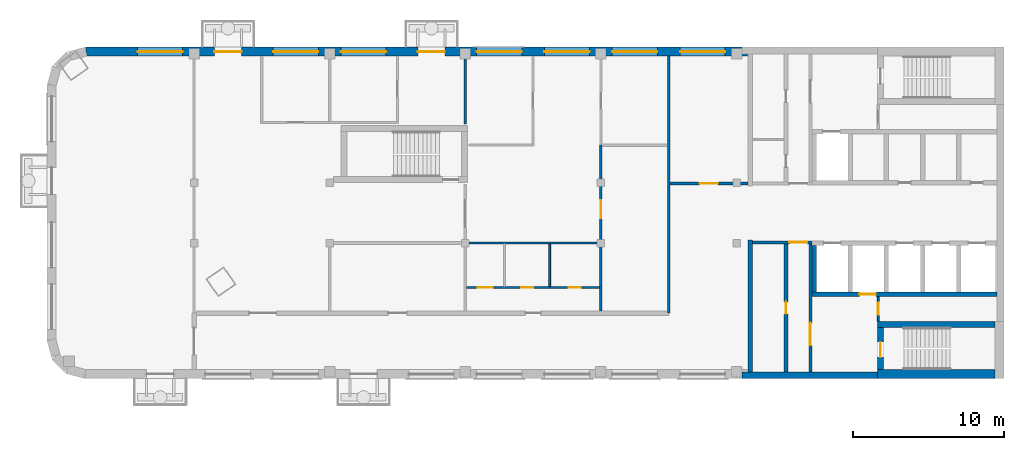
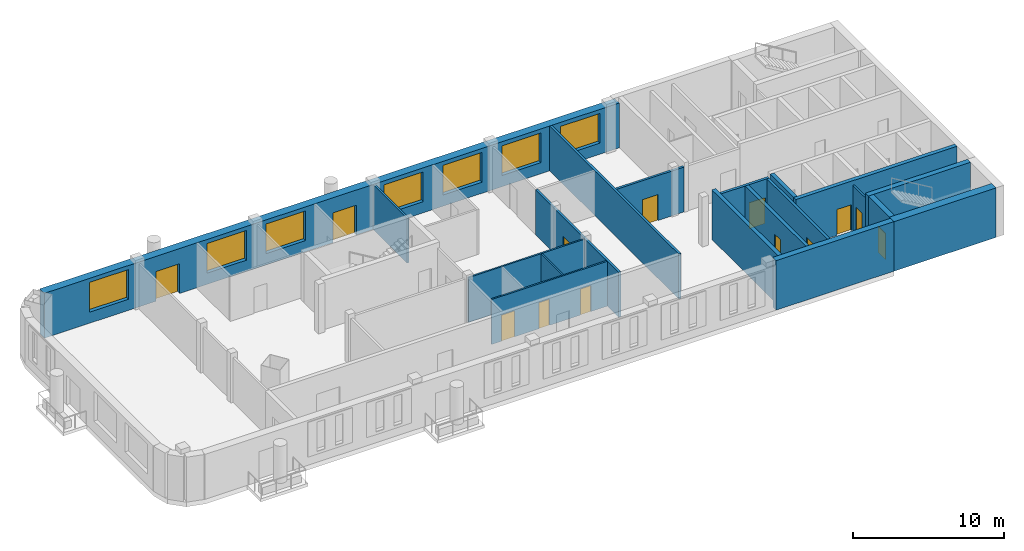
# One storey, part 3 of 8: 19 walls, 13 doors, 7 windows, 20 openings.
"""IFC4 building model written with IfcOpenShell, lengths in metres."""

from ifc_helpers import new_model, si_unit, direction, frame, frame_2d, origin, place, context, subcontext, project, spatial, rectangle, extrude, material, layer, layer_set, type_object, element, fill, save


model = new_model("IFC4")

# Units and contexts
model_context = context("Model", 3, precision=1e-05, world=origin(), true_north=direction((0.0, 1.0)))
body_context = subcontext(model_context, "Body", "Model", "MODEL_VIEW")
ifc_project = project(units=[si_unit("LENGTHUNIT", "METRE"), si_unit("AREAUNIT", "SQUARE_METRE"), si_unit("VOLUMEUNIT", "CUBIC_METRE"), si_unit("PLANEANGLEUNIT", "RADIAN"), si_unit("MASSUNIT", "GRAM", prefix="KILO")], contexts=[model_context])

# Site, building, storey
site_placement = place(None, origin())
site = spatial("IfcSite", under=ifc_project, at=site_placement, CompositionType="ELEMENT")
building_placement = place(site_placement, origin())
building = spatial("IfcBuilding", under=site, at=building_placement, Name="Skarvind Civic Tower", CompositionType="ELEMENT")
storey_placement = place(building_placement, frame((0.0, 0.0, 253.5)))
storey = spatial("IfcBuildingStorey", under=building, at=storey_placement, Name="L60", CompositionType="ELEMENT", Elevation=253.5)

# Wall, opening, door
ifc_material_1 = material(Name="Acoustic gypsum board on steel studs", Category="steel")
ifc_layer_1 = layer(ifc_material_1, 0.175048828125)
ifc_layer_set_1 = layer_set([ifc_layer_1], Name="ACOUSTIC MEETING-ROOM PARTITION 175")
wall_type_1 = type_object("IfcWallType", Name="ACOUSTIC MEETING-ROOM PARTITION 175", PredefinedType="PARTITIONING", material=ifc_layer_set_1)
wall_1_placement = place(storey_placement, frame((81.25, 132.5, 0.0), z_axis=(0.0, 0.0, 1.0), x_axis=(0.0, -1.0, 0.0)))
wall_1 = element("IfcWall", 1, at=wall_1_placement, inside=storey, type_object=wall_type_1, Name="Partition 60.019", PredefinedType="PARTITIONING", context=body_context, shape_type="SweptSolid", body=[
    extrude(rectangle(XDim=11.0, YDim=0.175048828125, at=frame_2d((5.5, 0.0))), origin(), (0.0, 0.0, 1.0), 3.625),
])
opening_1_placement = place(wall_1_placement, frame((3.651611328125, 0.0, 0.0)))
opening_1 = element("IfcOpeningElement", 2, at=opening_1_placement, cuts=wall_1, Name="Opening L60-D014", PredefinedType="OPENING", context=body_context, shape_type="SweptSolid", body=[
    extrude(rectangle(XDim=1.199951171875, YDim=2.10009765625, at=frame_2d((0.60009765625, 1.050048828125))), frame((0.0, 0.097412109375, 0.0), z_axis=(0.0, -1.0, 0.0), x_axis=(1.0, 0.0, 0.0)), (0.0, 0.0, 1.0), 0.195068359375),
])
ifc_material_2 = material(Name="Timber door leaf", Category="wood")
door_type_1 = type_object("IfcDoorType", Name="DOOR 1200X2100 DOUBLE TIMBER", OperationType="NOTDEFINED", PredefinedType="DOOR", material=ifc_material_2)
door_1_placement = place(opening_1_placement, origin())
door_1 = element("IfcDoor", 3, at=door_1_placement, inside=storey, type_object=door_type_1, Name="Door L60-D014", OperationType="DOUBLE_DOOR_SINGLE_SWING", OverallHeight=2.10009765625, OverallWidth=1.199951171875, PredefinedType="DOOR", context=body_context, shape_type="SweptSolid", body=[
    extrude(rectangle(XDim=1.199951171875, YDim=2.10009765625, at=frame_2d((0.60009765625, 1.050048828125))), frame((0.0, 0.02490234375, 0.0), z_axis=(0.0, -1.0, 0.0), x_axis=(1.0, 0.0, 0.0)), (0.0, 0.0, 1.0), 0.050048828125),
])
fill(opening_1, door_1)

# Wall
wall_2_placement = place(storey_placement, frame((85.75, 121.35009765625, 0.0), z_axis=(0.0, 0.0, 1.0), x_axis=(0.0, 1.0, 0.0)))
element("IfcWall", 4, at=wall_2_placement, inside=storey, type_object=wall_type_1, Name="Partition 60.021", PredefinedType="PARTITIONING", context=body_context, shape_type="SweptSolid", body=[
    extrude(rectangle(XDim=17.0498046875, YDim=0.175048828125, at=frame_2d((8.52490234375, 0.0))), origin(), (0.0, 0.0, 1.0), 3.625),
])

# Wall, opening, door
wall_3_placement = place(storey_placement, frame((85.837890625, 129.949951171875, 0.0), z_axis=(0.0, 0.0, 1.0), x_axis=(1.0, 0.0, 0.0)))
wall_3 = element("IfcWall", 5, at=wall_3_placement, inside=storey, type_object=wall_type_1, Name="Partition 60.023", PredefinedType="PARTITIONING", context=body_context, shape_type="SweptSolid", body=[
    extrude(rectangle(XDim=5.162109375, YDim=0.175048828125, at=frame_2d((2.5810546875, 0.0))), origin(), (0.0, 0.0, 1.0), 3.625),
])
opening_2_placement = place(wall_3_placement, frame((1.970947265625, 0.0, 0.0)))
opening_2 = element("IfcOpeningElement", 6, at=opening_2_placement, cuts=wall_3, Name="Opening L60-D001", PredefinedType="OPENING", context=body_context, shape_type="SweptSolid", body=[
    extrude(rectangle(XDim=1.199951171875, YDim=2.10009765625, at=frame_2d((0.60009765625, 1.050048828125))), frame((0.0, 0.097412109375, 0.0), z_axis=(0.0, -1.0, 0.0), x_axis=(1.0, 0.0, 0.0)), (0.0, 0.0, 1.0), 0.195068359375),
])
door_2_placement = place(opening_2_placement, origin())
door_2 = element("IfcDoor", 7, at=door_2_placement, inside=storey, type_object=door_type_1, Name="Door L60-D001", OperationType="DOUBLE_DOOR_SINGLE_SWING", OverallHeight=2.10009765625, OverallWidth=1.199951171875, PredefinedType="DOOR", context=body_context, shape_type="SweptSolid", body=[
    extrude(rectangle(XDim=1.199951171875, YDim=2.10009765625, at=frame_2d((0.60009765625, 1.050048828125))), frame((0.0, 0.02490234375, 0.0), z_axis=(0.0, -1.0, 0.0), x_axis=(1.0, 0.0, 0.0)), (0.0, 0.0, 1.0), 0.050048828125),
])
fill(opening_2, door_2)

ifc_material_3 = material(Name="Fire-rated masonry partition", Category="masonry")
ifc_layer_2 = layer(ifc_material_3, 0.199951171875)
ifc_layer_set_2 = layer_set([ifc_layer_2], Name="Core enclosure wall 200")
wall_type_2 = type_object("IfcWallType", Name="Core enclosure wall 200", PredefinedType="PARTITIONING", material=ifc_layer_set_2)
wall_4_placement = place(storey_placement, frame((95.25, 126.050048828125, 0.0), z_axis=(0.0, 0.0, 1.0), x_axis=(-1.0, 0.0, 0.0)))
wall_4 = element("IfcWall", 8, at=wall_4_placement, inside=storey, type_object=wall_type_2, Name="Core wall C1", PredefinedType="PARTITIONING", context=body_context, shape_type="SweptSolid", body=[
    extrude(rectangle(XDim=3.949951171875, YDim=0.199951171875, at=frame_2d((1.97509765625, 0.0))), origin(), (0.0, 0.0, 1.0), 3.625),
])
opening_3_placement = place(wall_4_placement, frame((0.300048828125, 0.0, 0.0)))
opening_3 = element("IfcOpeningElement", 9, at=opening_3_placement, cuts=wall_4, Name="Opening D-L60-C1-07", PredefinedType="OPENING", context=body_context, shape_type="SweptSolid", body=[
    extrude(rectangle(XDim=1.199951171875, YDim=2.10009765625, at=frame_2d((0.60009765625, 1.050048828125))), frame((0.0, 0.10986328125, 0.0), z_axis=(0.0, -1.0, 0.0), x_axis=(1.0, 0.0, 0.0)), (0.0, 0.0, 1.0), 0.219970703125),
])
ifc_material_4 = material(Name="Fire-rated steel door", Category="steel")
door_type_2 = type_object("IfcDoorType", Name="Core lobby door 1200", OperationType="NOTDEFINED", PredefinedType="DOOR", material=ifc_material_4)
door_3_placement = place(opening_3_placement, origin())
door_3 = element("IfcDoor", 10, at=door_3_placement, inside=storey, type_object=door_type_2, Name="Fire door", OperationType="DOUBLE_DOOR_SINGLE_SWING", OverallHeight=2.10009765625, OverallWidth=1.199951171875, PredefinedType="DOOR", context=body_context, shape_type="SweptSolid", body=[
    extrude(rectangle(XDim=1.199951171875, YDim=2.10009765625, at=frame_2d((0.60009765625, 1.050048828125))), frame((0.0, 0.02490234375, 0.0), z_axis=(0.0, -1.0, 0.0), x_axis=(1.0, 0.0, 0.0)), (0.0, 0.0, 1.0), 0.050048828125),
])
fill(opening_3, door_3)

wall_5_placement = place(storey_placement, frame((95.14990234375, 117.449951171875, 0.0), z_axis=(0.0, 0.0, 1.0), x_axis=(0.0, 1.0, 0.0)))
wall_5 = element("IfcWall", 11, at=wall_5_placement, inside=storey, type_object=wall_type_2, Name="Core wall C1", PredefinedType="PARTITIONING", context=body_context, shape_type="SweptSolid", body=[
    extrude(rectangle(XDim=8.5, YDim=0.199951171875, at=frame_2d((4.25, 0.0))), origin(), (0.0, 0.0, 1.0), 3.625),
])
opening_4_placement = place(wall_5_placement, frame((1.75, 0.0, 0.0)))
opening_4 = element("IfcOpeningElement", 12, at=opening_4_placement, cuts=wall_5, Name="Opening D-L60-C1-08", PredefinedType="OPENING", context=body_context, shape_type="SweptSolid", body=[
    extrude(rectangle(XDim=1.5, YDim=2.10009765625, at=frame_2d((0.75, 1.050048828125))), frame((0.0, 0.10986328125, 0.0), z_axis=(0.0, -1.0, 0.0), x_axis=(1.0, 0.0, 0.0)), (0.0, 0.0, 1.0), 0.219970703125),
])
door_type_3 = type_object("IfcDoorType", Name="Fire door 1500", OperationType="NOTDEFINED", PredefinedType="DOOR", material=ifc_material_4)
door_4_placement = place(opening_4_placement, origin())
door_4 = element("IfcDoor", 13, at=door_4_placement, inside=storey, type_object=door_type_3, Name="Fire door", OperationType="DOUBLE_DOOR_SINGLE_SWING", OverallHeight=2.10009765625, OverallWidth=1.5, PredefinedType="DOOR", context=body_context, shape_type="SweptSolid", body=[
    extrude(rectangle(XDim=1.5, YDim=2.10009765625, at=frame_2d((0.75, 1.050048828125))), frame((0.0, 0.02490234375, 0.0), z_axis=(0.0, -1.0, 0.0), x_axis=(1.0, 0.0, 0.0)), (0.0, 0.0, 1.0), 0.050048828125),
])
fill(opening_4, door_4)

ifc_material_5 = material(Name="Concrete C60", Category="concrete")
ifc_layer_3 = layer(ifc_material_5, 0.300048828125)
ifc_layer_set_3 = layer_set([ifc_layer_3], Name="Core wall 300 C60")
wall_type_3 = type_object("IfcWallType", Name="Core wall 300 C60", PredefinedType="SHEAR", material=ifc_layer_set_3)
wall_6_placement = place(storey_placement, frame((107.550048828125, 122.60009765625, 0.0), z_axis=(0.0, 0.0, 1.0), x_axis=(-1.0, 0.0, 0.0)))
wall_6 = element("IfcWall", 14, at=wall_6_placement, inside=storey, type_object=wall_type_3, Name="Core wall C1 north lift row back L60", PredefinedType="SHEAR", context=body_context, shape_type="SweptSolid", body=[
    extrude(rectangle(XDim=12.300048828125, YDim=0.300048828125, at=frame_2d((6.14990234375, 0.0))), origin(), (0.0, 0.0, 1.0), 4.0),
])
opening_5_placement = place(wall_6_placement, frame((8.050048828125, 0.0, 0.0)))
opening_5 = element("IfcOpeningElement", 15, at=opening_5_placement, cuts=wall_6, Name="Opening LD62104", PredefinedType="OPENING", context=body_context, shape_type="SweptSolid", body=[
    extrude(rectangle(XDim=1.10009765625, YDim=2.10009765625, at=frame_2d((0.550048828125, 1.050048828125))), frame((0.0, 0.159912109375, 0.0), z_axis=(0.0, -1.0, 0.0), x_axis=(1.0, 0.0, 0.0)), (0.0, 0.0, 1.0), 0.320068359375),
])
ifc_material_6 = material(Name="Stainless steel landing door", Category="steel")
door_type_4 = type_object("IfcDoorType", Name="Lift landing door 1100", OperationType="DOUBLE_DOOR_SLIDING", PredefinedType="DOOR", material=ifc_material_6)
door_5_placement = place(opening_5_placement, origin())
door_5 = element("IfcDoor", 16, at=door_5_placement, inside=storey, type_object=door_type_4, Name="Lift landing door", OperationType="DOUBLE_DOOR_SLIDING", OverallHeight=2.10009765625, OverallWidth=1.10009765625, PredefinedType="DOOR", context=body_context, shape_type="SweptSolid", body=[
    extrude(rectangle(XDim=1.10009765625, YDim=2.10009765625, at=frame_2d((0.550048828125, 1.050048828125))), frame((0.0, 0.02490234375, 0.0), z_axis=(0.0, -1.0, 0.0), x_axis=(1.0, 0.0, 0.0)), (0.0, 0.0, 1.0), 0.050048828125),
])
fill(opening_5, door_5)

# Walls
wall_7_placement = place(storey_placement, frame((95.39990234375, 125.85009765625, 0.0), z_axis=(0.0, 0.0, 1.0), x_axis=(0.0, -1.0, 0.0)))
element("IfcWall", 17, at=wall_7_placement, inside=storey, type_object=wall_type_3, Name="Core wall C1 north lift row division 5 L60", PredefinedType="SHEAR", context=body_context, shape_type="SweptSolid", body=[
    extrude(rectangle(XDim=3.10009765625, YDim=0.300048828125, at=frame_2d((1.550048828125, 0.0))), origin(), (0.0, 0.0, 1.0), 4.0),
])
wall_8_placement = place(storey_placement, frame((91.14990234375, 126.199951171875, 0.0), z_axis=(0.0, 0.0, 1.0), x_axis=(0.0, -1.0, 0.0)))
element("IfcWall", 18, at=wall_8_placement, inside=storey, type_object=wall_type_3, Name="Core wall C1 north inner face L60", PredefinedType="SHEAR", context=body_context, shape_type="SweptSolid", body=[
    extrude(rectangle(XDim=8.75, YDim=0.300048828125, at=frame_2d((4.375, 0.0))), origin(), (0.0, 0.0, 1.0), 4.0),
])
ifc_layer_4 = layer(ifc_material_5, 0.39990234375)
ifc_layer_set_4 = layer_set([ifc_layer_4], Name="Core wall 400 C60")
wall_type_4 = type_object("IfcWallType", Name="Core wall 400 C60", PredefinedType="SHEAR", material=ifc_layer_set_4)
wall_9_placement = place(storey_placement, frame((107.39990234375, 120.60009765625, 0.0), z_axis=(0.0, 0.0, 1.0), x_axis=(-1.0, 0.0, 0.0)))
element("IfcWall", 19, at=wall_9_placement, inside=storey, type_object=wall_type_4, Name="Core wall C1 north stair inner L60", PredefinedType="SHEAR", context=body_context, shape_type="SweptSolid", body=[
    extrude(rectangle(XDim=7.7998046875, YDim=0.39990234375, at=frame_2d((3.89990234375, 0.0))), origin(), (0.0, 0.0, 1.0), 4.0),
])

# Wall, opening, door
wall_10_placement = place(storey_placement, frame((99.800048828125, 120.39990234375, 0.0), z_axis=(0.0, 0.0, 1.0), x_axis=(0.0, -1.0, 0.0)))
wall_10 = element("IfcWall", 20, at=wall_10_placement, inside=storey, type_object=wall_type_4, Name="Core wall C1 north stair end L60", PredefinedType="SHEAR", context=body_context, shape_type="SweptSolid", body=[
    extrude(rectangle(XDim=2.7998046875, YDim=0.39990234375, at=frame_2d((1.39990234375, 0.0))), origin(), (0.0, 0.0, 1.0), 4.0),
])
opening_6_placement = place(wall_10_placement, frame((0.97509765625, 0.0, 0.0)))
opening_6 = element("IfcOpeningElement", 21, at=opening_6_placement, cuts=wall_10, Name="Opening D-L60-C1-09", PredefinedType="OPENING", context=body_context, shape_type="SweptSolid", body=[
    extrude(rectangle(XDim=1.0, YDim=2.10009765625, at=frame_2d((0.5, 1.050048828125))), frame((0.0, 0.2099609375, 0.0), z_axis=(0.0, -1.0, 0.0), x_axis=(1.0, 0.0, 0.0)), (0.0, 0.0, 1.0), 0.419921875),
])
door_type_5 = type_object("IfcDoorType", Name="Fire door 1000", OperationType="NOTDEFINED", PredefinedType="DOOR", material=ifc_material_4)
door_6_placement = place(opening_6_placement, origin())
door_6 = element("IfcDoor", 22, at=door_6_placement, inside=storey, type_object=door_type_5, Name="Fire door", OperationType="SINGLE_SWING_LEFT", OverallHeight=2.10009765625, OverallWidth=1.0, PredefinedType="DOOR", context=body_context, shape_type="SweptSolid", body=[
    extrude(rectangle(XDim=1.0, YDim=2.10009765625, at=frame_2d((0.5, 1.050048828125))), frame((0.0, 0.02490234375, 0.0), z_axis=(0.0, -1.0, 0.0), x_axis=(1.0, 0.0, 0.0)), (0.0, 0.0, 1.0), 0.050048828125),
])
fill(opening_6, door_6)

# Walls
ifc_layer_5 = layer(ifc_material_5, 0.449951171875)
ifc_layer_set_5 = layer_set([ifc_layer_5], Name="Core wall 450 C60")
wall_type_5 = type_object("IfcWallType", Name="Core wall 450 C60", PredefinedType="SHEAR", material=ifc_layer_set_5)
wall_11_placement = place(storey_placement, frame((99.60009765625, 117.22509765625, 0.0), z_axis=(0.0, 0.0, 1.0), x_axis=(-1.0, 0.0, 0.0)))
element("IfcWall", 23, at=wall_11_placement, inside=storey, type_object=wall_type_5, Name="Core wall C1 north side L60", PredefinedType="SHEAR", context=body_context, shape_type="SweptSolid", body=[
    extrude(rectangle(XDim=9.0, YDim=0.449951171875, at=frame_2d((4.5, 0.0))), origin(), (0.0, 0.0, 1.0), 4.0),
])
ifc_layer_6 = layer(ifc_material_5, 0.60009765625)
ifc_layer_set_6 = layer_set([ifc_layer_6], Name="Core wall 600 C60")
wall_type_6 = type_object("IfcWallType", Name="Core wall 600 C60", PredefinedType="SHEAR", material=ifc_layer_set_6)
wall_12_placement = place(storey_placement, frame((107.39990234375, 117.300048828125, 0.0), z_axis=(0.0, 0.0, 1.0), x_axis=(-1.0, 0.0, 0.0)))
element("IfcWall", 24, at=wall_12_placement, inside=storey, type_object=wall_type_6, Name="Core wall C1 north side at the stair L60", PredefinedType="SHEAR", context=body_context, shape_type="SweptSolid", body=[
    extrude(rectangle(XDim=7.7998046875, YDim=0.60009765625, at=frame_2d((3.89990234375, 0.0))), origin(), (0.0, 0.0, 1.0), 4.0),
])
ifc_material_7 = material(Name="Plasterboard partition on steel studs", Category="steel")
ifc_layer_7 = layer(ifc_material_7, 0.14990234375)
ifc_layer_set_7 = layer_set([ifc_layer_7], Name="PARTITION 150")
wall_type_7 = type_object("IfcWallType", Name="PARTITION 150", PredefinedType="PARTITIONING", material=ifc_layer_set_7)
wall_13_placement = place(storey_placement, frame((72.25, 133.89990234375, 0.0), z_axis=(0.0, 0.0, 1.0), x_axis=(0.0, 1.0, 0.0)))
element("IfcWall", 25, at=wall_13_placement, inside=storey, type_object=wall_type_7, Name="Partition 60.014", PredefinedType="PARTITIONING", context=body_context, shape_type="SweptSolid", body=[
    extrude(rectangle(XDim=4.5, YDim=0.14990234375, at=frame_2d((2.25, 0.0))), origin(), (0.0, 0.0, 1.0), 3.625),
])

# Wall, opening, door
ifc_layer_8 = layer(ifc_material_3, 0.125)
ifc_layer_set_8 = layer_set([ifc_layer_8], Name="Riser wall 125")
wall_type_8 = type_object("IfcWallType", Name="Riser wall 125", PredefinedType="PARTITIONING", material=ifc_layer_set_8)
wall_14_placement = place(storey_placement, frame((99.66259765625, 120.800048828125, 0.0), z_axis=(0.0, 0.0, 1.0), x_axis=(0.0, 1.0, 0.0)))
wall_14 = element("IfcWall", 26, at=wall_14_placement, inside=storey, type_object=wall_type_8, Name="Core wall C1", PredefinedType="PARTITIONING", context=body_context, shape_type="SweptSolid", body=[
    extrude(rectangle(XDim=1.64990234375, YDim=0.125, at=frame_2d((0.824951171875, 0.0))), origin(), (0.0, 0.0, 1.0), 3.625),
])
opening_7_placement = place(wall_14_placement, frame((0.425048828125, 0.0, 0.0)))
opening_7 = element("IfcOpeningElement", 27, at=opening_7_placement, cuts=wall_14, Name="Opening D-L60-C1-10", PredefinedType="OPENING", context=body_context, shape_type="SweptSolid", body=[
    extrude(rectangle(XDim=0.800048828125, YDim=2.10009765625, at=frame_2d((0.39990234375, 1.050048828125))), frame((0.0, 0.072509765625, 0.0), z_axis=(0.0, -1.0, 0.0), x_axis=(1.0, 0.0, 0.0)), (0.0, 0.0, 1.0), 0.14501953125),
])
door_type_6 = type_object("IfcDoorType", Name="Core riser door 800", OperationType="NOTDEFINED", PredefinedType="DOOR", material=ifc_material_4)
door_7_placement = place(opening_7_placement, origin())
door_7 = element("IfcDoor", 28, at=door_7_placement, inside=storey, type_object=door_type_6, Name="Riser door", OperationType="SINGLE_SWING_RIGHT", OverallHeight=2.10009765625, OverallWidth=0.800048828125, PredefinedType="DOOR", context=body_context, shape_type="SweptSolid", body=[
    extrude(rectangle(XDim=0.800048828125, YDim=2.10009765625, at=frame_2d((0.39990234375, 1.050048828125))), frame((0.0, 0.02490234375, 0.0), z_axis=(0.0, -1.0, 0.0), x_axis=(1.0, 0.0, 0.0)), (0.0, 0.0, 1.0), 0.050048828125),
])
fill(opening_7, door_7)

ifc_layer_9 = layer(ifc_material_3, 0.25)
ifc_layer_set_9 = layer_set([ifc_layer_9], Name="Service block wall 250")
wall_type_9 = type_object("IfcWallType", Name="Service block wall 250", PredefinedType="PARTITIONING", material=ifc_layer_set_9)
wall_15_placement = place(storey_placement, frame((93.52490234375, 117.449951171875, 0.0), z_axis=(0.0, 0.0, 1.0), x_axis=(0.0, 1.0, 0.0)))
wall_15 = element("IfcWall", 29, at=wall_15_placement, inside=storey, type_object=wall_type_9, Name="Core wall C1", PredefinedType="PARTITIONING", context=body_context, shape_type="SweptSolid", body=[
    extrude(rectangle(XDim=8.5, YDim=0.25, at=frame_2d((4.25, 0.0))), origin(), (0.0, 0.0, 1.0), 3.625),
])
opening_8_placement = place(wall_15_placement, frame((3.85009765625, 0.0, 0.0)))
opening_8 = element("IfcOpeningElement", 30, at=opening_8_placement, cuts=wall_15, Name="Opening D-L60-C1-11", PredefinedType="OPENING", context=body_context, shape_type="SweptSolid", body=[
    extrude(rectangle(XDim=0.800048828125, YDim=2.10009765625, at=frame_2d((0.39990234375, 1.050048828125))), frame((0.0, 0.135009765625, 0.0), z_axis=(0.0, -1.0, 0.0), x_axis=(1.0, 0.0, 0.0)), (0.0, 0.0, 1.0), 0.27001953125),
])
door_8_placement = place(opening_8_placement, origin())
door_8 = element("IfcDoor", 31, at=door_8_placement, inside=storey, type_object=door_type_6, Name="Riser door", OperationType="SINGLE_SWING_LEFT", OverallHeight=2.10009765625, OverallWidth=0.800048828125, PredefinedType="DOOR", context=body_context, shape_type="SweptSolid", body=[
    extrude(rectangle(XDim=0.800048828125, YDim=2.10009765625, at=frame_2d((0.39990234375, 1.050048828125))), frame((0.0, 0.02490234375, 0.0), z_axis=(0.0, -1.0, 0.0), x_axis=(1.0, 0.0, 0.0)), (0.0, 0.0, 1.0), 0.050048828125),
])
fill(opening_8, door_8)

# Wall, openings, doors
ifc_material_8 = material(Name="Moisture-resistant gypsum board on steel studs", Category="steel")
ifc_layer_10 = layer(ifc_material_8, 0.125)
ifc_layer_set_10 = layer_set([ifc_layer_10], Name="WC PARTITION 125")
wall_type_10 = type_object("IfcWallType", Name="WC PARTITION 125", PredefinedType="PARTITIONING", material=ifc_layer_set_10)
wall_16_placement = place(storey_placement, frame((72.337890625, 123.050048828125, 0.0), z_axis=(0.0, 0.0, 1.0), x_axis=(1.0, 0.0, 0.0)))
wall_16 = element("IfcWall", 32, at=wall_16_placement, inside=storey, type_object=wall_type_10, Name="Partition 60.010", PredefinedType="PARTITIONING", context=body_context, shape_type="SweptSolid", body=[
    extrude(rectangle(XDim=8.82421875, YDim=0.125, at=frame_2d((4.412109375, 0.0))), origin(), (0.0, 0.0, 1.0), 3.625),
])
opening_9_placement = place(wall_16_placement, frame((6.778076171875, 0.0, 0.0)))
opening_9 = element("IfcOpeningElement", 33, at=opening_9_placement, cuts=wall_16, Name="Opening L60-D003", PredefinedType="OPENING", context=body_context, shape_type="SweptSolid", body=[
    extrude(rectangle(XDim=0.800048828125, YDim=2.10009765625, at=frame_2d((0.39990234375, 1.050048828125))), frame((0.0, 0.072509765625, 0.0), z_axis=(0.0, -1.0, 0.0), x_axis=(1.0, 0.0, 0.0)), (0.0, 0.0, 1.0), 0.14501953125),
])
opening_10_placement = place(wall_16_placement, frame((3.612060546875, 0.0, 0.0)))
opening_10 = element("IfcOpeningElement", 34, at=opening_10_placement, cuts=wall_16, Name="Opening L60-D004", PredefinedType="OPENING", context=body_context, shape_type="SweptSolid", body=[
    extrude(rectangle(XDim=0.800048828125, YDim=2.10009765625, at=frame_2d((0.39990234375, 1.050048828125))), frame((0.0, 0.072509765625, 0.0), z_axis=(0.0, -1.0, 0.0), x_axis=(1.0, 0.0, 0.0)), (0.0, 0.0, 1.0), 0.14501953125),
])
opening_11_placement = place(wall_16_placement, frame((0.74609375, 0.0, 0.0)))
opening_11 = element("IfcOpeningElement", 35, at=opening_11_placement, cuts=wall_16, Name="Opening L60-D005", PredefinedType="OPENING", context=body_context, shape_type="SweptSolid", body=[
    extrude(rectangle(XDim=1.0, YDim=2.10009765625, at=frame_2d((0.5, 1.050048828125))), frame((0.0, 0.072509765625, 0.0), z_axis=(0.0, -1.0, 0.0), x_axis=(1.0, 0.0, 0.0)), (0.0, 0.0, 1.0), 0.14501953125),
])
door_type_7 = type_object("IfcDoorType", Name="D1 1000x2100", OperationType="NOTDEFINED", PredefinedType="DOOR", material=ifc_material_2)
door_9_placement = place(opening_11_placement, origin())
door_9 = element("IfcDoor", 36, at=door_9_placement, inside=storey, type_object=door_type_7, Name="Door L60-D005", OperationType="SINGLE_SWING_LEFT", OverallHeight=2.10009765625, OverallWidth=1.0, PredefinedType="DOOR", context=body_context, shape_type="SweptSolid", body=[
    extrude(rectangle(XDim=1.0, YDim=2.10009765625, at=frame_2d((0.5, 1.050048828125))), frame((0.0, 0.02490234375, 0.0), z_axis=(0.0, -1.0, 0.0), x_axis=(1.0, 0.0, 0.0)), (0.0, 0.0, 1.0), 0.050048828125),
])
fill(opening_11, door_9)
door_type_8 = type_object("IfcDoorType", Name="DOOR 800X2100 TIMBER", OperationType="NOTDEFINED", PredefinedType="DOOR", material=ifc_material_2)
door_10_placement = place(opening_9_placement, origin())
door_10 = element("IfcDoor", 37, at=door_10_placement, inside=storey, type_object=door_type_8, Name="Door L60-D003", OperationType="SINGLE_SWING_RIGHT", OverallHeight=2.10009765625, OverallWidth=0.800048828125, PredefinedType="DOOR", context=body_context, shape_type="SweptSolid", body=[
    extrude(rectangle(XDim=0.800048828125, YDim=2.10009765625, at=frame_2d((0.39990234375, 1.050048828125))), frame((0.0, 0.02490234375, 0.0), z_axis=(0.0, -1.0, 0.0), x_axis=(1.0, 0.0, 0.0)), (0.0, 0.0, 1.0), 0.050048828125),
])
fill(opening_9, door_10)
door_11_placement = place(opening_10_placement, origin())
door_11 = element("IfcDoor", 38, at=door_11_placement, inside=storey, type_object=door_type_8, Name="Door L60-D004", OperationType="SINGLE_SWING_LEFT", OverallHeight=2.10009765625, OverallWidth=0.800048828125, PredefinedType="DOOR", context=body_context, shape_type="SweptSolid", body=[
    extrude(rectangle(XDim=0.800048828125, YDim=2.10009765625, at=frame_2d((0.39990234375, 1.050048828125))), frame((0.0, 0.02490234375, 0.0), z_axis=(0.0, -1.0, 0.0), x_axis=(1.0, 0.0, 0.0)), (0.0, 0.0, 1.0), 0.050048828125),
])
fill(opening_10, door_11)

# Walls
wall_17_placement = place(storey_placement, frame((72.25, 126.0, 0.0), z_axis=(0.0, 0.0, 1.0), x_axis=(1.0, 0.0, 0.0)))
element("IfcWall", 39, at=wall_17_placement, inside=storey, type_object=wall_type_10, Name="Partition 60.013", PredefinedType="PARTITIONING", context=body_context, shape_type="SweptSolid", body=[
    extrude(rectangle(XDim=8.912109375, YDim=0.125, at=frame_2d((4.4560546875, 0.0))), origin(), (0.0, 0.0, 1.0), 3.625),
])
wall_18_placement = place(storey_placement, frame((77.85009765625, 125.93798828125, 0.0), z_axis=(0.0, 0.0, 1.0), x_axis=(0.0, -1.0, 0.0)))
element("IfcWall", 40, at=wall_18_placement, inside=storey, type_object=wall_type_10, Name="Partition 60.018", PredefinedType="PARTITIONING", context=body_context, shape_type="SweptSolid", body=[
    extrude(rectangle(XDim=2.825927734375, YDim=0.125, at=frame_2d((1.4130859375, 0.0))), origin(), (0.0, 0.0, 1.0), 3.625),
])

# Wall, openings, doors, windows
ifc_material_9 = material(Name="Standing-seam zinc cladding on insulated backing")
ifc_layer_11 = layer(ifc_material_9, 0.60009765625)
ifc_layer_set_11 = layer_set([ifc_layer_11], Name="WX2 ZINC-CLAD FACADE WALL 600")
wall_type_11 = type_object("IfcWallType", Name="WX2 ZINC-CLAD FACADE WALL 600", PredefinedType="SOLIDWALL", material=ifc_layer_set_11)
wall_19_placement = place(storey_placement, frame((47.070068359375, 138.699951171875, 0.0), z_axis=(0.0, 0.0, 1.0), x_axis=(1.0, 0.0, 0.0)))
wall_19 = element("IfcWall", 41, at=wall_19_placement, inside=storey, type_object=wall_type_11, Name="ZINC-CLAD FACADE WALL", PredefinedType="SOLIDWALL", context=body_context, shape_type="SweptSolid", body=[
    extrude(rectangle(XDim=43.909912109375, YDim=0.60009765625, at=frame_2d((21.955078125, 0.0))), origin(), (0.0, 0.0, 1.0), 3.625),
])
opening_12_placement = place(wall_19_placement, frame((3.429931640625, 0.0, 0.89990234375)))
opening_12 = element("IfcOpeningElement", 42, at=opening_12_placement, cuts=wall_19, Name="Opening WN4", PredefinedType="OPENING", context=body_context, shape_type="SweptSolid", body=[
    extrude(rectangle(XDim=3.0, YDim=2.39990234375, at=frame_2d((1.5, 1.199951171875))), frame((0.0, 0.31005859375, 0.0), z_axis=(0.0, -1.0, 0.0), x_axis=(1.0, 0.0, 0.0)), (0.0, 0.0, 1.0), 0.6201171875),
])
opening_13_placement = place(wall_19_placement, frame((8.530029296875, 0.0, 0.0)))
opening_13 = element("IfcOpeningElement", 43, at=opening_13_placement, cuts=wall_19, Name="Opening DX3", PredefinedType="OPENING", context=body_context, shape_type="SweptSolid", body=[
    extrude(rectangle(XDim=1.800048828125, YDim=2.39990234375, at=frame_2d((0.89990234375, 1.199951171875))), frame((0.0, 0.31005859375, 0.0), z_axis=(0.0, -1.0, 0.0), x_axis=(1.0, 0.0, 0.0)), (0.0, 0.0, 1.0), 0.6201171875),
])
opening_14_placement = place(wall_19_placement, frame((12.429931640625, 0.0, 0.89990234375)))
opening_14 = element("IfcOpeningElement", 44, at=opening_14_placement, cuts=wall_19, Name="Opening WN4", PredefinedType="OPENING", context=body_context, shape_type="SweptSolid", body=[
    extrude(rectangle(XDim=3.0, YDim=2.39990234375, at=frame_2d((1.5, 1.199951171875))), frame((0.0, 0.31005859375, 0.0), z_axis=(0.0, -1.0, 0.0), x_axis=(1.0, 0.0, 0.0)), (0.0, 0.0, 1.0), 0.6201171875),
])
opening_15_placement = place(wall_19_placement, frame((16.929931640625, 0.0, 0.89990234375)))
opening_15 = element("IfcOpeningElement", 45, at=opening_15_placement, cuts=wall_19, Name="Opening WN4", PredefinedType="OPENING", context=body_context, shape_type="SweptSolid", body=[
    extrude(rectangle(XDim=3.0, YDim=2.39990234375, at=frame_2d((1.5, 1.199951171875))), frame((0.0, 0.31005859375, 0.0), z_axis=(0.0, -1.0, 0.0), x_axis=(1.0, 0.0, 0.0)), (0.0, 0.0, 1.0), 0.6201171875),
])
opening_16_placement = place(wall_19_placement, frame((22.030029296875, 0.0, 0.0)))
opening_16 = element("IfcOpeningElement", 46, at=opening_16_placement, cuts=wall_19, Name="Opening DX3", PredefinedType="OPENING", context=body_context, shape_type="SweptSolid", body=[
    extrude(rectangle(XDim=1.800048828125, YDim=2.39990234375, at=frame_2d((0.89990234375, 1.199951171875))), frame((0.0, 0.31005859375, 0.0), z_axis=(0.0, -1.0, 0.0), x_axis=(1.0, 0.0, 0.0)), (0.0, 0.0, 1.0), 0.6201171875),
])
opening_17_placement = place(wall_19_placement, frame((25.929931640625, 0.0, 0.89990234375)))
opening_17 = element("IfcOpeningElement", 47, at=opening_17_placement, cuts=wall_19, Name="Opening WN4", PredefinedType="OPENING", context=body_context, shape_type="SweptSolid", body=[
    extrude(rectangle(XDim=3.0, YDim=2.39990234375, at=frame_2d((1.5, 1.199951171875))), frame((0.0, 0.31005859375, 0.0), z_axis=(0.0, -1.0, 0.0), x_axis=(1.0, 0.0, 0.0)), (0.0, 0.0, 1.0), 0.6201171875),
])
opening_18_placement = place(wall_19_placement, frame((30.429931640625, 0.0, 0.89990234375)))
opening_18 = element("IfcOpeningElement", 48, at=opening_18_placement, cuts=wall_19, Name="Opening WN4", PredefinedType="OPENING", context=body_context, shape_type="SweptSolid", body=[
    extrude(rectangle(XDim=3.0, YDim=2.39990234375, at=frame_2d((1.5, 1.199951171875))), frame((0.0, 0.31005859375, 0.0), z_axis=(0.0, -1.0, 0.0), x_axis=(1.0, 0.0, 0.0)), (0.0, 0.0, 1.0), 0.6201171875),
])
opening_19_placement = place(wall_19_placement, frame((34.929931640625, 0.0, 0.89990234375)))
opening_19 = element("IfcOpeningElement", 49, at=opening_19_placement, cuts=wall_19, Name="Opening WN4", PredefinedType="OPENING", context=body_context, shape_type="SweptSolid", body=[
    extrude(rectangle(XDim=3.0, YDim=2.39990234375, at=frame_2d((1.5, 1.199951171875))), frame((0.0, 0.31005859375, 0.0), z_axis=(0.0, -1.0, 0.0), x_axis=(1.0, 0.0, 0.0)), (0.0, 0.0, 1.0), 0.6201171875),
])
opening_20_placement = place(wall_19_placement, frame((39.429931640625, 0.0, 0.89990234375)))
opening_20 = element("IfcOpeningElement", 50, at=opening_20_placement, cuts=wall_19, Name="Opening WN4", PredefinedType="OPENING", context=body_context, shape_type="SweptSolid", body=[
    extrude(rectangle(XDim=3.0, YDim=2.39990234375, at=frame_2d((1.5, 1.199951171875))), frame((0.0, 0.31005859375, 0.0), z_axis=(0.0, -1.0, 0.0), x_axis=(1.0, 0.0, 0.0)), (0.0, 0.0, 1.0), 0.6201171875),
])
ifc_material_10 = material(Name="Timber and glass doorset", Category="wood")
door_type_9 = type_object("IfcDoorType", Name="DX3 TERRACE DOORS 1800 x 2400", OperationType="NOTDEFINED", PredefinedType="DOOR", material=ifc_material_10)
door_12_placement = place(opening_13_placement, origin())
door_12 = element("IfcDoor", 51, at=door_12_placement, inside=storey, type_object=door_type_9, Name="TERRACE DOORS", OperationType="DOUBLE_DOOR_SINGLE_SWING", OverallHeight=2.39990234375, OverallWidth=1.800048828125, PredefinedType="DOOR", context=body_context, shape_type="SweptSolid", body=[
    extrude(rectangle(XDim=1.800048828125, YDim=2.39990234375, at=frame_2d((0.89990234375, 1.199951171875))), frame((0.0, 0.02490234375, 0.0), z_axis=(0.0, -1.0, 0.0), x_axis=(1.0, 0.0, 0.0)), (0.0, 0.0, 1.0), 0.050048828125),
])
fill(opening_13, door_12)
door_13_placement = place(opening_16_placement, origin())
door_13 = element("IfcDoor", 52, at=door_13_placement, inside=storey, type_object=door_type_9, Name="TERRACE DOORS", OperationType="DOUBLE_DOOR_SINGLE_SWING", OverallHeight=2.39990234375, OverallWidth=1.800048828125, PredefinedType="DOOR", context=body_context, shape_type="SweptSolid", body=[
    extrude(rectangle(XDim=1.800048828125, YDim=2.39990234375, at=frame_2d((0.89990234375, 1.199951171875))), frame((0.0, 0.02490234375, 0.0), z_axis=(0.0, -1.0, 0.0), x_axis=(1.0, 0.0, 0.0)), (0.0, 0.0, 1.0), 0.050048828125),
])
fill(opening_16, door_13)
ifc_material_11 = material(Name="Timber frame, double glazing, copper-lined reveal", Category="wood")
window_type = type_object("IfcWindowType", Name="WN4 COPPER-LINED WINDOW 3000 x 2400", PartitioningType="SINGLE_PANEL", PredefinedType="WINDOW", material=ifc_material_11)
window_1_placement = place(opening_12_placement, origin())
window_1 = element("IfcWindow", 53, at=window_1_placement, inside=storey, type_object=window_type, Name="WN4 WINDOW", OverallHeight=2.39990234375, OverallWidth=3.0, PartitioningType="SINGLE_PANEL", PredefinedType="WINDOW", context=body_context, shape_type="SweptSolid", body=[
    extrude(rectangle(XDim=3.0, YDim=2.39990234375, at=frame_2d((1.5, 1.199951171875))), frame((0.0, 0.030029296875, 0.0), z_axis=(0.0, -1.0, 0.0), x_axis=(1.0, 0.0, 0.0)), (0.0, 0.0, 1.0), 0.06005859375),
])
fill(opening_12, window_1)
window_2_placement = place(opening_14_placement, origin())
window_2 = element("IfcWindow", 54, at=window_2_placement, inside=storey, type_object=window_type, Name="WN4 WINDOW", OverallHeight=2.39990234375, OverallWidth=3.0, PartitioningType="SINGLE_PANEL", PredefinedType="WINDOW", context=body_context, shape_type="SweptSolid", body=[
    extrude(rectangle(XDim=3.0, YDim=2.39990234375, at=frame_2d((1.5, 1.199951171875))), frame((0.0, 0.030029296875, 0.0), z_axis=(0.0, -1.0, 0.0), x_axis=(1.0, 0.0, 0.0)), (0.0, 0.0, 1.0), 0.06005859375),
])
fill(opening_14, window_2)
window_3_placement = place(opening_15_placement, origin())
window_3 = element("IfcWindow", 55, at=window_3_placement, inside=storey, type_object=window_type, Name="WN4 WINDOW", OverallHeight=2.39990234375, OverallWidth=3.0, PartitioningType="SINGLE_PANEL", PredefinedType="WINDOW", context=body_context, shape_type="SweptSolid", body=[
    extrude(rectangle(XDim=3.0, YDim=2.39990234375, at=frame_2d((1.5, 1.199951171875))), frame((0.0, 0.030029296875, 0.0), z_axis=(0.0, -1.0, 0.0), x_axis=(1.0, 0.0, 0.0)), (0.0, 0.0, 1.0), 0.06005859375),
])
fill(opening_15, window_3)
window_4_placement = place(opening_17_placement, origin())
window_4 = element("IfcWindow", 56, at=window_4_placement, inside=storey, type_object=window_type, Name="WN4 WINDOW", OverallHeight=2.39990234375, OverallWidth=3.0, PartitioningType="SINGLE_PANEL", PredefinedType="WINDOW", context=body_context, shape_type="SweptSolid", body=[
    extrude(rectangle(XDim=3.0, YDim=2.39990234375, at=frame_2d((1.5, 1.199951171875))), frame((0.0, 0.030029296875, 0.0), z_axis=(0.0, -1.0, 0.0), x_axis=(1.0, 0.0, 0.0)), (0.0, 0.0, 1.0), 0.06005859375),
])
fill(opening_17, window_4)
window_5_placement = place(opening_18_placement, origin())
window_5 = element("IfcWindow", 57, at=window_5_placement, inside=storey, type_object=window_type, Name="WN4 WINDOW", OverallHeight=2.39990234375, OverallWidth=3.0, PartitioningType="SINGLE_PANEL", PredefinedType="WINDOW", context=body_context, shape_type="SweptSolid", body=[
    extrude(rectangle(XDim=3.0, YDim=2.39990234375, at=frame_2d((1.5, 1.199951171875))), frame((0.0, 0.030029296875, 0.0), z_axis=(0.0, -1.0, 0.0), x_axis=(1.0, 0.0, 0.0)), (0.0, 0.0, 1.0), 0.06005859375),
])
fill(opening_18, window_5)
window_6_placement = place(opening_19_placement, origin())
window_6 = element("IfcWindow", 58, at=window_6_placement, inside=storey, type_object=window_type, Name="WN4 WINDOW", OverallHeight=2.39990234375, OverallWidth=3.0, PartitioningType="SINGLE_PANEL", PredefinedType="WINDOW", context=body_context, shape_type="SweptSolid", body=[
    extrude(rectangle(XDim=3.0, YDim=2.39990234375, at=frame_2d((1.5, 1.199951171875))), frame((0.0, 0.030029296875, 0.0), z_axis=(0.0, -1.0, 0.0), x_axis=(1.0, 0.0, 0.0)), (0.0, 0.0, 1.0), 0.06005859375),
])
fill(opening_19, window_6)
window_7_placement = place(opening_20_placement, origin())
window_7 = element("IfcWindow", 59, at=window_7_placement, inside=storey, type_object=window_type, Name="WN4 WINDOW", OverallHeight=2.39990234375, OverallWidth=3.0, PartitioningType="SINGLE_PANEL", PredefinedType="WINDOW", context=body_context, shape_type="SweptSolid", body=[
    extrude(rectangle(XDim=3.0, YDim=2.39990234375, at=frame_2d((1.5, 1.199951171875))), frame((0.0, 0.030029296875, 0.0), z_axis=(0.0, -1.0, 0.0), x_axis=(1.0, 0.0, 0.0)), (0.0, 0.0, 1.0), 0.06005859375),
])
fill(opening_20, window_7)

save(model, "model.ifc")
